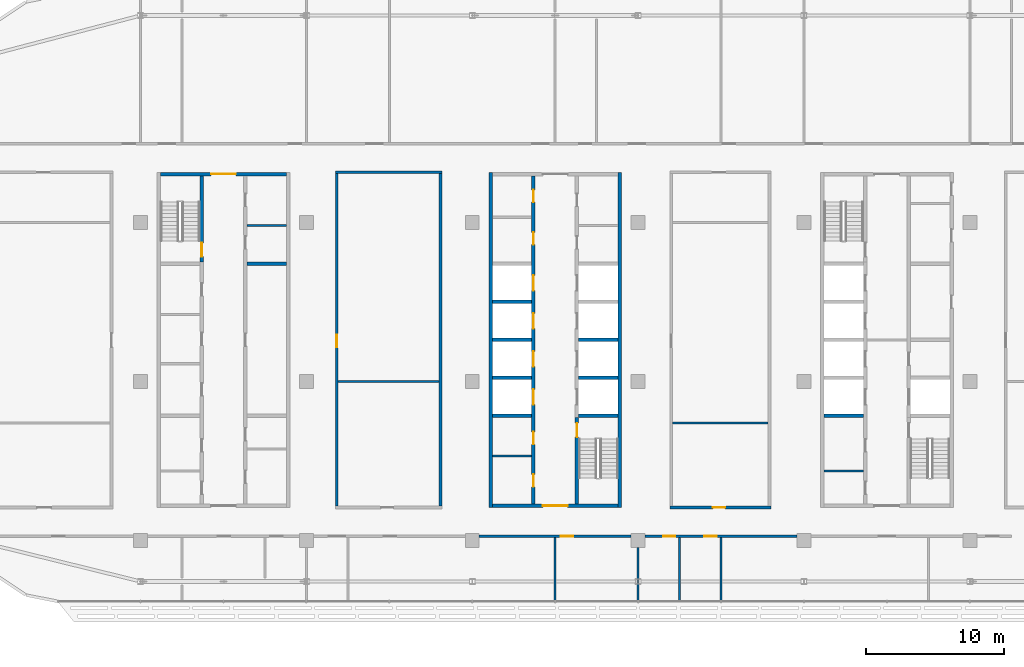
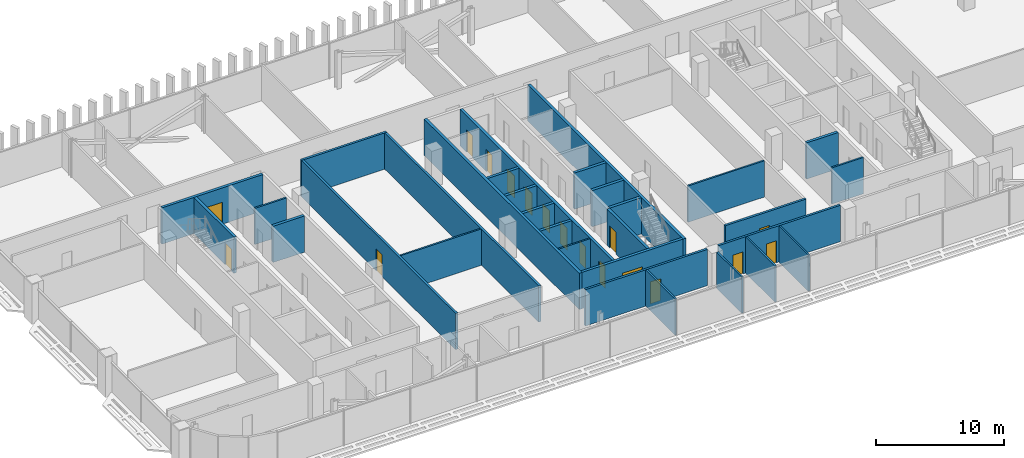
# One storey, part 18 of 32: 31 walls, 17 doors, 17 openings.
"""IFC4 building model written with IfcOpenShell, lengths in metres."""

from ifc_helpers import new_model, si_unit, direction, frame, frame_2d, origin, place, context, subcontext, project, spatial, rectangle, extrude, material, layer, layer_set, type_object, element, fill, save


model = new_model("IFC4")

# Units and contexts
model_context = context("Model", 3, precision=1e-05, world=origin(), true_north=direction((0.0, 1.0)))
body_context = subcontext(model_context, "Body", "Model", "MODEL_VIEW")
ifc_project = project(units=[si_unit("LENGTHUNIT", "METRE"), si_unit("AREAUNIT", "SQUARE_METRE"), si_unit("VOLUMEUNIT", "CUBIC_METRE"), si_unit("PLANEANGLEUNIT", "RADIAN"), si_unit("MASSUNIT", "GRAM", prefix="KILO")], contexts=[model_context])

# Site, building, storey
site_placement = place(None, origin())
site = spatial("IfcSite", under=ifc_project, at=site_placement, CompositionType="ELEMENT")
building_placement = place(site_placement, origin())
building = spatial("IfcBuilding", under=site, at=building_placement, Name="Mahtab Terrace Research Tower", CompositionType="ELEMENT")
storey_placement = place(building_placement, frame((0.0, 0.0, 240.0)))
storey = spatial("IfcBuildingStorey", under=building, at=storey_placement, Name="L58", CompositionType="ELEMENT", Elevation=240.0)

# Walls
ifc_material_1 = material(Name="Gypsum board partition")
ifc_layer_1 = layer(ifc_material_1, 0.14990234375)
ifc_layer_set_1 = layer_set([ifc_layer_1], Name="Core partition 150")
wall_type_1 = type_object("IfcWallType", Name="Core partition 150", PredefinedType="PARTITIONING", material=ifc_layer_set_1)
for number, where, z_axis, x_axis, name in (
    (1, (-22.300048828125, 11.27490234375, 0.0), (0.0, 0.0, 1.0), (1.0, 0.0, 0.0), "Core wall A pEN828"),
    (2, (-4.550048828125, -5.39501953125, 0.0), (0.0, 0.0, 1.0), (1.0, 0.0, 0.0), "Core wall B pWS-840"),
    (3, (19.449951171875, -6.47509765625, 0.0), (0.0, 0.0, 1.0), (1.0, 0.0, 0.0), "Core wall C pWS-948"),
):
    element("IfcWall", number, at=place(storey_placement, frame(where, z_axis=z_axis, x_axis=x_axis)), inside=storey, type_object=wall_type_1, Name=name, PredefinedType="PARTITIONING", context=body_context, shape_type="SweptSolid", body=[
        extrude(rectangle(XDim=2.85009765625, YDim=0.14990234375, at=frame_2d((1.425048828125, 0.0))), origin(), (0.0, 0.0, 1.0), 3.4599609375),
    ])

# Wall, opening, door
ifc_material_2 = material(Name="Concrete C70/85", Category="concrete")
ifc_layer_2 = layer(ifc_material_2, 0.25)
ifc_layer_set_2 = layer_set([ifc_layer_2], Name="Core wall 250")
wall_type_2 = type_object("IfcWallType", Name="Core wall 250", PredefinedType="SOLIDWALL", material=ifc_layer_set_2)
wall_1_placement = place(storey_placement, frame((-28.550048828125, 15.0, 0.0), z_axis=(0.0, 0.0, 1.0), x_axis=(1.0, 0.0, 0.0)))
wall_1 = element("IfcWall", 4, at=wall_1_placement, inside=storey, type_object=wall_type_2, Name="Core wall A endN", PredefinedType="SOLIDWALL", context=body_context, shape_type="SweptSolid", body=[
    extrude(rectangle(XDim=9.10009765625, YDim=0.25, at=frame_2d((4.550048828125, 0.0))), origin(), (0.0, 0.0, 1.0), 3.4599609375),
])
opening_1_placement = place(wall_1_placement, frame((3.64990234375, 0.0, 0.0)))
opening_1 = element("IfcOpeningElement", 5, at=opening_1_placement, cuts=wall_1, Name="Opening A-N1", PredefinedType="OPENING", context=body_context, shape_type="SweptSolid", body=[
    extrude(rectangle(XDim=1.800048828125, YDim=2.10009765625, at=frame_2d((0.89990234375, 1.050048828125))), frame((0.0, 0.135009765625, 0.0), z_axis=(0.0, -1.0, 0.0), x_axis=(1.0, 0.0, 0.0)), (0.0, 0.0, 1.0), 0.27001953125),
])
ifc_material_3 = material(Name="Steel fire door", Category="steel")
door_type_1 = type_object("IfcDoorType", Name="Lobby double door 1800x2100 1 HR", OperationType="DOUBLE_DOOR_SINGLE_SWING", PredefinedType="DOOR", material=ifc_material_3)
door_1_placement = place(opening_1_placement, origin())
door_1 = element("IfcDoor", 6, at=door_1_placement, inside=storey, type_object=door_type_1, Name="Core entrance door A N", OperationType="DOUBLE_DOOR_SINGLE_SWING", OverallHeight=2.10009765625, OverallWidth=1.800048828125, PredefinedType="DOOR", context=body_context, shape_type="SweptSolid", body=[
    extrude(rectangle(XDim=1.800048828125, YDim=2.10009765625, at=frame_2d((0.89990234375, 1.050048828125))), frame((0.0, 0.02490234375, 0.0), z_axis=(0.0, -1.0, 0.0), x_axis=(1.0, 0.0, 0.0)), (0.0, 0.0, 1.0), 0.050048828125),
])
fill(opening_1, door_1)

wall_2_placement = place(storey_placement, frame((-25.574951171875, 14.875, 0.0), z_axis=(0.0, 0.0, 1.0), x_axis=(0.0, -1.0, 0.0)))
wall_2 = element("IfcWall", 7, at=wall_2_placement, inside=storey, type_object=wall_type_2, Name="Core wall A innerWN", PredefinedType="SOLIDWALL", context=body_context, shape_type="SweptSolid", body=[
    extrude(rectangle(XDim=6.25, YDim=0.25, at=frame_2d((3.125, 0.0))), origin(), (0.0, 0.0, 1.0), 3.4599609375),
])
opening_2_placement = place(wall_2_placement, frame((4.85009765625, 0.0, 0.0)))
opening_2 = element("IfcOpeningElement", 8, at=opening_2_placement, cuts=wall_2, Name="Opening A-ST1", PredefinedType="OPENING", context=body_context, shape_type="SweptSolid", body=[
    extrude(rectangle(XDim=1.0, YDim=2.10009765625, at=frame_2d((0.5, 1.050048828125))), frame((0.0, 0.135009765625, 0.0), z_axis=(0.0, -1.0, 0.0), x_axis=(1.0, 0.0, 0.0)), (0.0, 0.0, 1.0), 0.27001953125),
])
door_type_2 = type_object("IfcDoorType", Name="Stair door 1000x2100 1.5 HR", OperationType="NOTDEFINED", PredefinedType="DOOR", material=ifc_material_3)
door_2_placement = place(opening_2_placement, origin())
door_2 = element("IfcDoor", 9, at=door_2_placement, inside=storey, type_object=door_type_2, Name="Stair door ST1 L58", OperationType="SINGLE_SWING_LEFT", OverallHeight=2.10009765625, OverallWidth=1.0, PredefinedType="DOOR", context=body_context, shape_type="SweptSolid", body=[
    extrude(rectangle(XDim=1.0, YDim=2.10009765625, at=frame_2d((0.5, 1.050048828125))), frame((0.0, 0.02490234375, 0.0), z_axis=(0.0, -1.0, 0.0), x_axis=(1.0, 0.0, 0.0)), (0.0, 0.0, 1.0), 0.050048828125),
])
fill(opening_2, door_2)

# Walls
wall_3_placement = place(storey_placement, frame((-22.300048828125, 8.5, 0.0), z_axis=(0.0, 0.0, 1.0), x_axis=(1.0, 0.0, 0.0)))
element("IfcWall", 10, at=wall_3_placement, inside=storey, type_object=wall_type_2, Name="Core wall A divE4", PredefinedType="SOLIDWALL", context=body_context, shape_type="SweptSolid", body=[
    extrude(rectangle(XDim=2.85009765625, YDim=0.25, at=frame_2d((1.425048828125, 0.0))), origin(), (0.0, 0.0, 1.0), 3.4599609375),
])
for number, where, z_axis, x_axis, name in (
    (11, (-4.675048828125, 15.125, 0.0), (0.0, 0.0, 1.0), (0.0, -1.0, 0.0), "Core wall B outerW"),
    (12, (4.675048828125, -9.125, 0.0), (0.0, 0.0, 1.0), (0.0, 1.0, 0.0), "Core wall B outerE"),
):
    element("IfcWall", number, at=place(storey_placement, frame(where, z_axis=z_axis, x_axis=x_axis)), inside=storey, type_object=wall_type_2, Name=name, PredefinedType="SOLIDWALL", context=body_context, shape_type="SweptSolid", body=[
        extrude(rectangle(XDim=24.25, YDim=0.25, at=frame_2d((12.125, 0.0))), origin(), (0.0, 0.0, 1.0), 3.4599609375),
    ])

# Wall, opening, door
wall_4_placement = place(storey_placement, frame((4.550048828125, -9.0, 0.0), z_axis=(0.0, 0.0, 1.0), x_axis=(-1.0, 0.0, 0.0)))
wall_4 = element("IfcWall", 13, at=wall_4_placement, inside=storey, type_object=wall_type_2, Name="Core wall B endS", PredefinedType="SOLIDWALL", context=body_context, shape_type="SweptSolid", body=[
    extrude(rectangle(XDim=9.10009765625, YDim=0.25, at=frame_2d((4.550048828125, 0.0))), origin(), (0.0, 0.0, 1.0), 3.4599609375),
])
opening_3_placement = place(wall_4_placement, frame((3.64990234375, 0.0, 0.0)))
opening_3 = element("IfcOpeningElement", 14, at=opening_3_placement, cuts=wall_4, Name="Opening B-S1", PredefinedType="OPENING", context=body_context, shape_type="SweptSolid", body=[
    extrude(rectangle(XDim=1.800048828125, YDim=2.10009765625, at=frame_2d((0.89990234375, 1.050048828125))), frame((0.0, 0.135009765625, 0.0), z_axis=(0.0, -1.0, 0.0), x_axis=(1.0, 0.0, 0.0)), (0.0, 0.0, 1.0), 0.27001953125),
])
door_3_placement = place(opening_3_placement, origin())
door_3 = element("IfcDoor", 15, at=door_3_placement, inside=storey, type_object=door_type_1, Name="Core entrance door B S", OperationType="DOUBLE_DOOR_SINGLE_SWING", OverallHeight=2.10009765625, OverallWidth=1.800048828125, PredefinedType="DOOR", context=body_context, shape_type="SweptSolid", body=[
    extrude(rectangle(XDim=1.800048828125, YDim=2.10009765625, at=frame_2d((0.89990234375, 1.050048828125))), frame((0.0, 0.02490234375, 0.0), z_axis=(0.0, -1.0, 0.0), x_axis=(1.0, 0.0, 0.0)), (0.0, 0.0, 1.0), 0.050048828125),
])
fill(opening_3, door_3)

# Wall, openings, doors
wall_5_placement = place(storey_placement, frame((-1.574951171875, -8.875, 0.0), z_axis=(0.0, 0.0, 1.0), x_axis=(0.0, 1.0, 0.0)))
wall_5 = element("IfcWall", 16, at=wall_5_placement, inside=storey, type_object=wall_type_2, Name="Core wall B innerWSLN", PredefinedType="SOLIDWALL", context=body_context, shape_type="SweptSolid", body=[
    extrude(rectangle(XDim=23.75, YDim=0.25, at=frame_2d((11.875, 0.0))), origin(), (0.0, 0.0, 1.0), 3.4599609375),
])
opening_4_placement = place(wall_5_placement, frame((7.199951171875, 0.0, 0.0)))
opening_4 = element("IfcOpeningElement", 17, at=opening_4_placement, cuts=wall_5, Name="Opening LD09-L58", PredefinedType="OPENING", context=body_context, shape_type="SweptSolid", body=[
    extrude(rectangle(XDim=1.10009765625, YDim=2.10009765625, at=frame_2d((0.550048828125, 1.050048828125))), frame((0.0, 0.135009765625, 0.0), z_axis=(0.0, -1.0, 0.0), x_axis=(1.0, 0.0, 0.0)), (0.0, 0.0, 1.0), 0.27001953125),
])
opening_5_placement = place(wall_5_placement, frame((9.949951171875, 0.0, 0.0)))
opening_5 = element("IfcOpeningElement", 18, at=opening_5_placement, cuts=wall_5, Name="Opening LD10-L58", PredefinedType="OPENING", context=body_context, shape_type="SweptSolid", body=[
    extrude(rectangle(XDim=1.10009765625, YDim=2.10009765625, at=frame_2d((0.550048828125, 1.050048828125))), frame((0.0, 0.135009765625, 0.0), z_axis=(0.0, -1.0, 0.0), x_axis=(1.0, 0.0, 0.0)), (0.0, 0.0, 1.0), 0.27001953125),
])
opening_6_placement = place(wall_5_placement, frame((12.699951171875, 0.0, 0.0)))
opening_6 = element("IfcOpeningElement", 19, at=opening_6_placement, cuts=wall_5, Name="Opening LD11-L58", PredefinedType="OPENING", context=body_context, shape_type="SweptSolid", body=[
    extrude(rectangle(XDim=1.10009765625, YDim=2.10009765625, at=frame_2d((0.550048828125, 1.050048828125))), frame((0.0, 0.135009765625, 0.0), z_axis=(0.0, -1.0, 0.0), x_axis=(1.0, 0.0, 0.0)), (0.0, 0.0, 1.0), 0.27001953125),
])
opening_7_placement = place(wall_5_placement, frame((15.449951171875, 0.0, 0.0)))
opening_7 = element("IfcOpeningElement", 20, at=opening_7_placement, cuts=wall_5, Name="Opening LD12-L58", PredefinedType="OPENING", context=body_context, shape_type="SweptSolid", body=[
    extrude(rectangle(XDim=1.10009765625, YDim=2.10009765625, at=frame_2d((0.550048828125, 1.050048828125))), frame((0.0, 0.135009765625, 0.0), z_axis=(0.0, -1.0, 0.0), x_axis=(1.0, 0.0, 0.0)), (0.0, 0.0, 1.0), 0.27001953125),
])
opening_8_placement = place(wall_5_placement, frame((1.25244140625, 0.0, 0.0)))
opening_8 = element("IfcOpeningElement", 21, at=opening_8_placement, cuts=wall_5, Name="Opening B-R1", PredefinedType="OPENING", context=body_context, shape_type="SweptSolid", body=[
    extrude(rectangle(XDim=0.89990234375, YDim=2.10009765625, at=frame_2d((0.449951171875, 1.050048828125))), frame((0.0, 0.135009765625, 0.0), z_axis=(0.0, -1.0, 0.0), x_axis=(1.0, 0.0, 0.0)), (0.0, 0.0, 1.0), 0.27001953125),
])
opening_9_placement = place(wall_5_placement, frame((4.327392578125, 0.0, 0.0)))
opening_9 = element("IfcOpeningElement", 22, at=opening_9_placement, cuts=wall_5, Name="Opening B-R2", PredefinedType="OPENING", context=body_context, shape_type="SweptSolid", body=[
    extrude(rectangle(XDim=0.89990234375, YDim=2.10009765625, at=frame_2d((0.449951171875, 1.050048828125))), frame((0.0, 0.135009765625, 0.0), z_axis=(0.0, -1.0, 0.0), x_axis=(1.0, 0.0, 0.0)), (0.0, 0.0, 1.0), 0.27001953125),
])
opening_10_placement = place(wall_5_placement, frame((18.762451171875, 0.0, 0.0)))
opening_10 = element("IfcOpeningElement", 23, at=opening_10_placement, cuts=wall_5, Name="Opening B-R3", PredefinedType="OPENING", context=body_context, shape_type="SweptSolid", body=[
    extrude(rectangle(XDim=0.89990234375, YDim=2.10009765625, at=frame_2d((0.449951171875, 1.050048828125))), frame((0.0, 0.135009765625, 0.0), z_axis=(0.0, -1.0, 0.0), x_axis=(1.0, 0.0, 0.0)), (0.0, 0.0, 1.0), 0.27001953125),
])
opening_11_placement = place(wall_5_placement, frame((21.83740234375, 0.0, 0.0)))
opening_11 = element("IfcOpeningElement", 24, at=opening_11_placement, cuts=wall_5, Name="Opening B-R4", PredefinedType="OPENING", context=body_context, shape_type="SweptSolid", body=[
    extrude(rectangle(XDim=0.89990234375, YDim=2.10009765625, at=frame_2d((0.449951171875, 1.050048828125))), frame((0.0, 0.135009765625, 0.0), z_axis=(0.0, -1.0, 0.0), x_axis=(1.0, 0.0, 0.0)), (0.0, 0.0, 1.0), 0.27001953125),
])
ifc_material_4 = material(Name="Stainless steel AISI 304", Category="steel")
door_type_3 = type_object("IfcDoorType", Name="Landing door 1100x2100", OperationType="DOUBLE_DOOR_SLIDING", PredefinedType="DOOR", material=ifc_material_4)
door_4_placement = place(opening_4_placement, origin())
door_4 = element("IfcDoor", 25, at=door_4_placement, inside=storey, type_object=door_type_3, Name="Landing door HR1 L58", OperationType="DOUBLE_DOOR_SLIDING", OverallHeight=2.10009765625, OverallWidth=1.10009765625, PredefinedType="DOOR", context=body_context, shape_type="SweptSolid", body=[
    extrude(rectangle(XDim=1.10009765625, YDim=2.10009765625, at=frame_2d((0.550048828125, 1.050048828125))), frame((0.0, 0.02490234375, 0.0), z_axis=(0.0, -1.0, 0.0), x_axis=(1.0, 0.0, 0.0)), (0.0, 0.0, 1.0), 0.050048828125),
])
fill(opening_4, door_4)
door_5_placement = place(opening_5_placement, origin())
door_5 = element("IfcDoor", 26, at=door_5_placement, inside=storey, type_object=door_type_3, Name="Landing door HR2 L58", OperationType="DOUBLE_DOOR_SLIDING", OverallHeight=2.10009765625, OverallWidth=1.10009765625, PredefinedType="DOOR", context=body_context, shape_type="SweptSolid", body=[
    extrude(rectangle(XDim=1.10009765625, YDim=2.10009765625, at=frame_2d((0.550048828125, 1.050048828125))), frame((0.0, 0.02490234375, 0.0), z_axis=(0.0, -1.0, 0.0), x_axis=(1.0, 0.0, 0.0)), (0.0, 0.0, 1.0), 0.050048828125),
])
fill(opening_5, door_5)
door_6_placement = place(opening_6_placement, origin())
door_6 = element("IfcDoor", 27, at=door_6_placement, inside=storey, type_object=door_type_3, Name="Landing door HR3 L58", OperationType="DOUBLE_DOOR_SLIDING", OverallHeight=2.10009765625, OverallWidth=1.10009765625, PredefinedType="DOOR", context=body_context, shape_type="SweptSolid", body=[
    extrude(rectangle(XDim=1.10009765625, YDim=2.10009765625, at=frame_2d((0.550048828125, 1.050048828125))), frame((0.0, 0.02490234375, 0.0), z_axis=(0.0, -1.0, 0.0), x_axis=(1.0, 0.0, 0.0)), (0.0, 0.0, 1.0), 0.050048828125),
])
fill(opening_6, door_6)
door_7_placement = place(opening_7_placement, origin())
door_7 = element("IfcDoor", 28, at=door_7_placement, inside=storey, type_object=door_type_3, Name="Landing door HR4 L58", OperationType="DOUBLE_DOOR_SLIDING", OverallHeight=2.10009765625, OverallWidth=1.10009765625, PredefinedType="DOOR", context=body_context, shape_type="SweptSolid", body=[
    extrude(rectangle(XDim=1.10009765625, YDim=2.10009765625, at=frame_2d((0.550048828125, 1.050048828125))), frame((0.0, 0.02490234375, 0.0), z_axis=(0.0, -1.0, 0.0), x_axis=(1.0, 0.0, 0.0)), (0.0, 0.0, 1.0), 0.050048828125),
])
fill(opening_7, door_7)
door_type_4 = type_object("IfcDoorType", Name="Room door 900x2100 1 HR", OperationType="NOTDEFINED", PredefinedType="DOOR", material=ifc_material_3)
door_8_placement = place(opening_8_placement, origin())
door_8 = element("IfcDoor", 29, at=door_8_placement, inside=storey, type_object=door_type_4, Name="Pantry door", OperationType="SINGLE_SWING_LEFT", OverallHeight=2.10009765625, OverallWidth=0.89990234375, PredefinedType="DOOR", context=body_context, shape_type="SweptSolid", body=[
    extrude(rectangle(XDim=0.89990234375, YDim=2.10009765625, at=frame_2d((0.449951171875, 1.050048828125))), frame((0.0, 0.02490234375, 0.0), z_axis=(0.0, -1.0, 0.0), x_axis=(1.0, 0.0, 0.0)), (0.0, 0.0, 1.0), 0.050048828125),
])
fill(opening_8, door_8)
door_9_placement = place(opening_9_placement, origin())
door_9 = element("IfcDoor", 30, at=door_9_placement, inside=storey, type_object=door_type_4, Name="Linen store door", OperationType="SINGLE_SWING_RIGHT", OverallHeight=2.10009765625, OverallWidth=0.89990234375, PredefinedType="DOOR", context=body_context, shape_type="SweptSolid", body=[
    extrude(rectangle(XDim=0.89990234375, YDim=2.10009765625, at=frame_2d((0.449951171875, 1.050048828125))), frame((0.0, 0.02490234375, 0.0), z_axis=(0.0, -1.0, 0.0), x_axis=(1.0, 0.0, 0.0)), (0.0, 0.0, 1.0), 0.050048828125),
])
fill(opening_9, door_9)
door_10_placement = place(opening_10_placement, origin())
door_10 = element("IfcDoor", 31, at=door_10_placement, inside=storey, type_object=door_type_4, Name="Housekeeping store door", OperationType="SINGLE_SWING_LEFT", OverallHeight=2.10009765625, OverallWidth=0.89990234375, PredefinedType="DOOR", context=body_context, shape_type="SweptSolid", body=[
    extrude(rectangle(XDim=0.89990234375, YDim=2.10009765625, at=frame_2d((0.449951171875, 1.050048828125))), frame((0.0, 0.02490234375, 0.0), z_axis=(0.0, -1.0, 0.0), x_axis=(1.0, 0.0, 0.0)), (0.0, 0.0, 1.0), 0.050048828125),
])
fill(opening_10, door_10)
door_11_placement = place(opening_11_placement, origin())
door_11 = element("IfcDoor", 32, at=door_11_placement, inside=storey, type_object=door_type_4, Name="Electrical riser room door", OperationType="SINGLE_SWING_RIGHT", OverallHeight=2.10009765625, OverallWidth=0.89990234375, PredefinedType="DOOR", context=body_context, shape_type="SweptSolid", body=[
    extrude(rectangle(XDim=0.89990234375, YDim=2.10009765625, at=frame_2d((0.449951171875, 1.050048828125))), frame((0.0, 0.02490234375, 0.0), z_axis=(0.0, -1.0, 0.0), x_axis=(1.0, 0.0, 0.0)), (0.0, 0.0, 1.0), 0.050048828125),
])
fill(opening_11, door_11)

# Wall, opening, door
wall_6_placement = place(storey_placement, frame((1.574951171875, -8.875, 0.0), z_axis=(0.0, 0.0, 1.0), x_axis=(0.0, 1.0, 0.0)))
wall_6 = element("IfcWall", 33, at=wall_6_placement, inside=storey, type_object=wall_type_2, Name="Core wall B innerES", PredefinedType="SOLIDWALL", context=body_context, shape_type="SweptSolid", body=[
    extrude(rectangle(XDim=6.25, YDim=0.25, at=frame_2d((3.125, 0.0))), origin(), (0.0, 0.0, 1.0), 3.4599609375),
])
opening_12_placement = place(wall_6_placement, frame((4.85009765625, 0.0, 0.0)))
opening_12 = element("IfcOpeningElement", 34, at=opening_12_placement, cuts=wall_6, Name="Opening B-ST2", PredefinedType="OPENING", context=body_context, shape_type="SweptSolid", body=[
    extrude(rectangle(XDim=1.0, YDim=2.10009765625, at=frame_2d((0.5, 1.050048828125))), frame((0.0, 0.135009765625, 0.0), z_axis=(0.0, -1.0, 0.0), x_axis=(1.0, 0.0, 0.0)), (0.0, 0.0, 1.0), 0.27001953125),
])
door_12_placement = place(opening_12_placement, origin())
door_12 = element("IfcDoor", 35, at=door_12_placement, inside=storey, type_object=door_type_2, Name="Stair door ST2 L58", OperationType="SINGLE_SWING_LEFT", OverallHeight=2.10009765625, OverallWidth=1.0, PredefinedType="DOOR", context=body_context, shape_type="SweptSolid", body=[
    extrude(rectangle(XDim=1.0, YDim=2.10009765625, at=frame_2d((0.5, 1.050048828125))), frame((0.0, 0.02490234375, 0.0), z_axis=(0.0, -1.0, 0.0), x_axis=(1.0, 0.0, 0.0)), (0.0, 0.0, 1.0), 0.050048828125),
])
fill(opening_12, door_12)

# Walls
for number, where, z_axis, x_axis, name in (
    (36, (-4.550048828125, -2.5, 0.0), (0.0, 0.0, 1.0), (1.0, 0.0, 0.0), "Core wall B divW0"),
    (37, (-4.550048828125, 0.25, 0.0), (0.0, 0.0, 1.0), (1.0, 0.0, 0.0), "Core wall B divW1"),
    (38, (-4.550048828125, 3.0, 0.0), (0.0, 0.0, 1.0), (1.0, 0.0, 0.0), "Core wall B divW2"),
    (39, (-4.550048828125, 5.75, 0.0), (0.0, 0.0, 1.0), (1.0, 0.0, 0.0), "Core wall B divW3"),
    (40, (1.699951171875, -2.5, 0.0), (0.0, 0.0, 1.0), (1.0, 0.0, 0.0), "Core wall B divE0"),
    (41, (1.699951171875, 0.25, 0.0), (0.0, 0.0, 1.0), (1.0, 0.0, 0.0), "Core wall B divE1"),
    (42, (1.699951171875, 3.0, 0.0), (0.0, 0.0, 1.0), (1.0, 0.0, 0.0), "Core wall B divE2"),
    (43, (19.449951171875, -2.5, 0.0), (0.0, 0.0, 1.0), (1.0, 0.0, 0.0), "Core wall C divW0"),
):
    element("IfcWall", number, at=place(storey_placement, frame(where, z_axis=z_axis, x_axis=x_axis)), inside=storey, type_object=wall_type_2, Name=name, PredefinedType="SOLIDWALL", context=body_context, shape_type="SweptSolid", body=[
        extrude(rectangle(XDim=2.85009765625, YDim=0.25, at=frame_2d((1.425048828125, 0.0))), origin(), (0.0, 0.0, 1.0), 3.4599609375),
    ])

# Wall, opening, door
ifc_material_5 = material(Name="Gypsum board corridor wall on steel studs", Category="steel")
ifc_layer_3 = layer(ifc_material_5, 0.199951171875)
ifc_layer_set_3 = layer_set([ifc_layer_3], Name="WALL CORRIDOR 200")
wall_type_3 = type_object("IfcWallType", Name="WALL CORRIDOR 200", PredefinedType="PARTITIONING", material=ifc_layer_set_3)
wall_7_placement = place(storey_placement, frame((-5.5, -11.199951171875, 0.0), z_axis=(0.0, 0.0, 1.0), x_axis=(1.0, 0.0, 0.0)))
wall_7 = element("IfcWall", 44, at=wall_7_placement, inside=storey, type_object=wall_type_3, Name="L58-W004", PredefinedType="PARTITIONING", context=body_context, shape_type="SweptSolid", body=[
    extrude(rectangle(XDim=11.0, YDim=0.199951171875, at=frame_2d((5.5, 0.0))), origin(), (0.0, 0.0, 1.0), 3.4599609375),
])
opening_13_placement = place(wall_7_placement, frame((5.89990234375, 0.0, 0.0)))
opening_13 = element("IfcOpeningElement", 45, at=opening_13_placement, cuts=wall_7, Name="Opening L58-106", PredefinedType="OPENING", context=body_context, shape_type="SweptSolid", body=[
    extrude(rectangle(XDim=0.89990234375, YDim=2.10009765625, at=frame_2d((0.449951171875, 1.050048828125))), frame((0.0, 0.10986328125, 0.0), z_axis=(0.0, -1.0, 0.0), x_axis=(1.0, 0.0, 0.0)), (0.0, 0.0, 1.0), 0.219970703125),
])
ifc_material_6 = material(Name="Timber door leaf in steel frame", Category="steel")
door_type_5 = type_object("IfcDoorType", Name="DOOR 0900X2100 FD30S", OperationType="SINGLE_SWING_LEFT", PredefinedType="DOOR", material=ifc_material_6)
door_13_placement = place(opening_13_placement, origin())
door_13 = element("IfcDoor", 46, at=door_13_placement, inside=storey, type_object=door_type_5, Name="Door L58-106", OperationType="SINGLE_SWING_LEFT", OverallHeight=2.10009765625, OverallWidth=0.89990234375, PredefinedType="DOOR", context=body_context, shape_type="SweptSolid", body=[
    extrude(rectangle(XDim=0.89990234375, YDim=2.10009765625, at=frame_2d((0.449951171875, 1.050048828125))), frame((0.0, 0.02490234375, 0.0), z_axis=(0.0, -1.0, 0.0), x_axis=(1.0, 0.0, 0.0)), (0.0, 0.0, 1.0), 0.050048828125),
])
fill(opening_13, door_13)

# Wall, openings, doors
wall_8_placement = place(storey_placement, frame((6.5, -11.199951171875, 0.0), z_axis=(0.0, 0.0, 1.0), x_axis=(1.0, 0.0, 0.0)))
wall_8 = element("IfcWall", 47, at=wall_8_placement, inside=storey, type_object=wall_type_3, Name="L58-W005", PredefinedType="PARTITIONING", context=body_context, shape_type="SweptSolid", body=[
    extrude(rectangle(XDim=11.0, YDim=0.199951171875, at=frame_2d((5.5, 0.0))), origin(), (0.0, 0.0, 1.0), 3.4599609375),
])
opening_14_placement = place(wall_8_placement, frame((1.300048828125, 0.0, 0.0)))
opening_14 = element("IfcOpeningElement", 48, at=opening_14_placement, cuts=wall_8, Name="Opening L58-107", PredefinedType="OPENING", context=body_context, shape_type="SweptSolid", body=[
    extrude(rectangle(XDim=0.89990234375, YDim=2.10009765625, at=frame_2d((0.449951171875, 1.050048828125))), frame((0.0, 0.10986328125, 0.0), z_axis=(0.0, -1.0, 0.0), x_axis=(1.0, 0.0, 0.0)), (0.0, 0.0, 1.0), 0.219970703125),
])
opening_15_placement = place(wall_8_placement, frame((4.300048828125, 0.0, 0.0)))
opening_15 = element("IfcOpeningElement", 49, at=opening_15_placement, cuts=wall_8, Name="Opening L58-108", PredefinedType="OPENING", context=body_context, shape_type="SweptSolid", body=[
    extrude(rectangle(XDim=0.89990234375, YDim=2.10009765625, at=frame_2d((0.449951171875, 1.050048828125))), frame((0.0, 0.10986328125, 0.0), z_axis=(0.0, -1.0, 0.0), x_axis=(1.0, 0.0, 0.0)), (0.0, 0.0, 1.0), 0.219970703125),
])
door_14_placement = place(opening_14_placement, origin())
door_14 = element("IfcDoor", 50, at=door_14_placement, inside=storey, type_object=door_type_5, Name="Door L58-107", OperationType="SINGLE_SWING_RIGHT", OverallHeight=2.10009765625, OverallWidth=0.89990234375, PredefinedType="DOOR", context=body_context, shape_type="SweptSolid", body=[
    extrude(rectangle(XDim=0.89990234375, YDim=2.10009765625, at=frame_2d((0.449951171875, 1.050048828125))), frame((0.0, 0.02490234375, 0.0), z_axis=(0.0, -1.0, 0.0), x_axis=(1.0, 0.0, 0.0)), (0.0, 0.0, 1.0), 0.050048828125),
])
fill(opening_14, door_14)
door_15_placement = place(opening_15_placement, origin())
door_15 = element("IfcDoor", 51, at=door_15_placement, inside=storey, type_object=door_type_5, Name="Door L58-108", OperationType="SINGLE_SWING_RIGHT", OverallHeight=2.10009765625, OverallWidth=0.89990234375, PredefinedType="DOOR", context=body_context, shape_type="SweptSolid", body=[
    extrude(rectangle(XDim=0.89990234375, YDim=2.10009765625, at=frame_2d((0.449951171875, 1.050048828125))), frame((0.0, 0.02490234375, 0.0), z_axis=(0.0, -1.0, 0.0), x_axis=(1.0, 0.0, 0.0)), (0.0, 0.0, 1.0), 0.050048828125),
])
fill(opening_15, door_15)

# Wall, opening, door
wall_9_placement = place(storey_placement, frame((8.300048828125, -9.125, 0.0), z_axis=(0.0, 0.0, 1.0), x_axis=(1.0, 0.0, 0.0)))
wall_9 = element("IfcWall", 52, at=wall_9_placement, inside=storey, type_object=wall_type_3, Name="L58-W012", PredefinedType="PARTITIONING", context=body_context, shape_type="SweptSolid", body=[
    extrude(rectangle(XDim=7.300048828125, YDim=0.199951171875, at=frame_2d((3.64990234375, 0.0))), origin(), (0.0, 0.0, 1.0), 3.4599609375),
])
opening_16_placement = place(wall_9_placement, frame((3.10009765625, 0.0, 0.0)))
opening_16 = element("IfcOpeningElement", 53, at=opening_16_placement, cuts=wall_9, Name="Opening L58-113", PredefinedType="OPENING", context=body_context, shape_type="SweptSolid", body=[
    extrude(rectangle(XDim=0.89990234375, YDim=2.10009765625, at=frame_2d((0.449951171875, 1.050048828125))), frame((0.0, 0.10986328125, 0.0), z_axis=(0.0, -1.0, 0.0), x_axis=(1.0, 0.0, 0.0)), (0.0, 0.0, 1.0), 0.219970703125),
])
door_16_placement = place(opening_16_placement, origin())
door_16 = element("IfcDoor", 54, at=door_16_placement, inside=storey, type_object=door_type_5, Name="Door L58-113", OperationType="SINGLE_SWING_LEFT", OverallHeight=2.10009765625, OverallWidth=0.89990234375, PredefinedType="DOOR", context=body_context, shape_type="SweptSolid", body=[
    extrude(rectangle(XDim=0.89990234375, YDim=2.10009765625, at=frame_2d((0.449951171875, 1.050048828125))), frame((0.0, 0.02490234375, 0.0), z_axis=(0.0, -1.0, 0.0), x_axis=(1.0, 0.0, 0.0)), (0.0, 0.0, 1.0), 0.050048828125),
])
fill(opening_16, door_16)

# Wall
wall_10_placement = place(storey_placement, frame((-15.89990234375, 15.125, 0.0), z_axis=(0.0, 0.0, 1.0), x_axis=(1.0, 0.0, 0.0)))
element("IfcWall", 55, at=wall_10_placement, inside=storey, type_object=wall_type_3, Name="L58-W022", PredefinedType="PARTITIONING", context=body_context, shape_type="SweptSolid", body=[
    extrude(rectangle(XDim=7.699951171875, YDim=0.199951171875, at=frame_2d((3.85009765625, 0.0))), origin(), (0.0, 0.0, 1.0), 3.4599609375),
])

# Wall, opening, door
wall_11_placement = place(storey_placement, frame((-15.800048828125, -9.02490234375, 0.0), z_axis=(0.0, 0.0, 1.0), x_axis=(0.0, 1.0, 0.0)))
wall_11 = element("IfcWall", 56, at=wall_11_placement, inside=storey, type_object=wall_type_3, Name="L58-W035", PredefinedType="PARTITIONING", context=body_context, shape_type="SweptSolid", body=[
    extrude(rectangle(XDim=24.0498046875, YDim=0.199951171875, at=frame_2d((12.02490234375, 0.0))), origin(), (0.0, 0.0, 1.0), 3.4599609375),
])
opening_17_placement = place(wall_11_placement, frame((11.5, 0.0, 0.0)))
opening_17 = element("IfcOpeningElement", 57, at=opening_17_placement, cuts=wall_11, Name="Opening L58-118", PredefinedType="OPENING", context=body_context, shape_type="SweptSolid", body=[
    extrude(rectangle(XDim=0.89990234375, YDim=2.10009765625, at=frame_2d((0.449951171875, 1.050048828125))), frame((0.0, 0.10986328125, 0.0), z_axis=(0.0, -1.0, 0.0), x_axis=(1.0, 0.0, 0.0)), (0.0, 0.0, 1.0), 0.219970703125),
])
door_17_placement = place(opening_17_placement, origin())
door_17 = element("IfcDoor", 58, at=door_17_placement, inside=storey, type_object=door_type_5, Name="Door L58-118", OperationType="SINGLE_SWING_RIGHT", OverallHeight=2.10009765625, OverallWidth=0.89990234375, PredefinedType="DOOR", context=body_context, shape_type="SweptSolid", body=[
    extrude(rectangle(XDim=0.89990234375, YDim=2.10009765625, at=frame_2d((0.449951171875, 1.050048828125))), frame((0.0, 0.02490234375, 0.0), z_axis=(0.0, -1.0, 0.0), x_axis=(1.0, 0.0, 0.0)), (0.0, 0.0, 1.0), 0.050048828125),
])
fill(opening_17, door_17)

# Walls
wall_12_placement = place(storey_placement, frame((-8.300048828125, -9.02490234375, 0.0), z_axis=(0.0, 0.0, 1.0), x_axis=(0.0, 1.0, 0.0)))
element("IfcWall", 59, at=wall_12_placement, inside=storey, type_object=wall_type_3, Name="L58-W038", PredefinedType="PARTITIONING", context=body_context, shape_type="SweptSolid", body=[
    extrude(rectangle(XDim=24.0498046875, YDim=0.199951171875, at=frame_2d((12.02490234375, 0.0))), origin(), (0.0, 0.0, 1.0), 3.4599609375),
])
ifc_material_7 = material(Name="Gypsum board partition on steel studs", Category="steel")
ifc_layer_4 = layer(ifc_material_7, 0.14990234375)
ifc_layer_set_4 = layer_set([ifc_layer_4], Name="WALL PARTITION 150")
wall_type_4 = type_object("IfcWallType", Name="WALL PARTITION 150", PredefinedType="PARTITIONING", material=ifc_layer_set_4)
wall_13_placement = place(storey_placement, frame((8.5, -3.0, 0.0), z_axis=(0.0, 0.0, 1.0), x_axis=(1.0, 0.0, 0.0)))
element("IfcWall", 60, at=wall_13_placement, inside=storey, type_object=wall_type_4, Name="L58-W015", PredefinedType="PARTITIONING", context=body_context, shape_type="SweptSolid", body=[
    extrude(rectangle(XDim=6.89990234375, YDim=0.14990234375, at=frame_2d((3.449951171875, 0.0))), origin(), (0.0, 0.0, 1.0), 3.4599609375),
])
wall_14_placement = place(storey_placement, frame((-15.699951171875, 0.0, 0.0), z_axis=(0.0, 0.0, 1.0), x_axis=(1.0, 0.0, 0.0)))
element("IfcWall", 61, at=wall_14_placement, inside=storey, type_object=wall_type_4, Name="L58-W016", PredefinedType="PARTITIONING", context=body_context, shape_type="SweptSolid", body=[
    extrude(rectangle(XDim=7.300048828125, YDim=0.14990234375, at=frame_2d((3.64990234375, 0.0))), origin(), (0.0, 0.0, 1.0), 3.4599609375),
])
wall_15_placement = place(storey_placement, frame((0.0, -15.89208984375, 0.0), z_axis=(0.0, 0.0, 1.0), x_axis=(0.0, 1.0, 0.0)))
element("IfcWall", 62, at=wall_15_placement, inside=storey, type_object=wall_type_4, Name="L58-W039", PredefinedType="PARTITIONING", context=body_context, shape_type="SweptSolid", body=[
    extrude(rectangle(XDim=4.592041015625, YDim=0.14990234375, at=frame_2d((2.2958984375, 0.0))), origin(), (0.0, 0.0, 1.0), 3.4599609375),
])
wall_16_placement = place(storey_placement, frame((6.0, -15.89208984375, 0.0), z_axis=(0.0, 0.0, 1.0), x_axis=(0.0, 1.0, 0.0)))
element("IfcWall", 63, at=wall_16_placement, inside=storey, type_object=wall_type_4, Name="L58-W043", PredefinedType="PARTITIONING", context=body_context, shape_type="SweptSolid", body=[
    extrude(rectangle(XDim=3.89208984375, YDim=0.14990234375, at=frame_2d((1.946044921875, 0.0))), origin(), (0.0, 0.0, 1.0), 3.4599609375),
])
for number, where, z_axis, x_axis, name in (
    (64, (9.0, -15.89208984375, 0.0), (0.0, 0.0, 1.0), (0.0, 1.0, 0.0), "L58-W045"),
    (65, (12.0, -15.89208984375, 0.0), (0.0, 0.0, 1.0), (0.0, 1.0, 0.0), "L58-W046"),
):
    element("IfcWall", number, at=place(storey_placement, frame(where, z_axis=z_axis, x_axis=x_axis)), inside=storey, type_object=wall_type_4, Name=name, PredefinedType="PARTITIONING", context=body_context, shape_type="SweptSolid", body=[
        extrude(rectangle(XDim=4.592041015625, YDim=0.14990234375, at=frame_2d((2.2958984375, 0.0))), origin(), (0.0, 0.0, 1.0), 3.4599609375),
    ])

save(model, "model.ifc")
